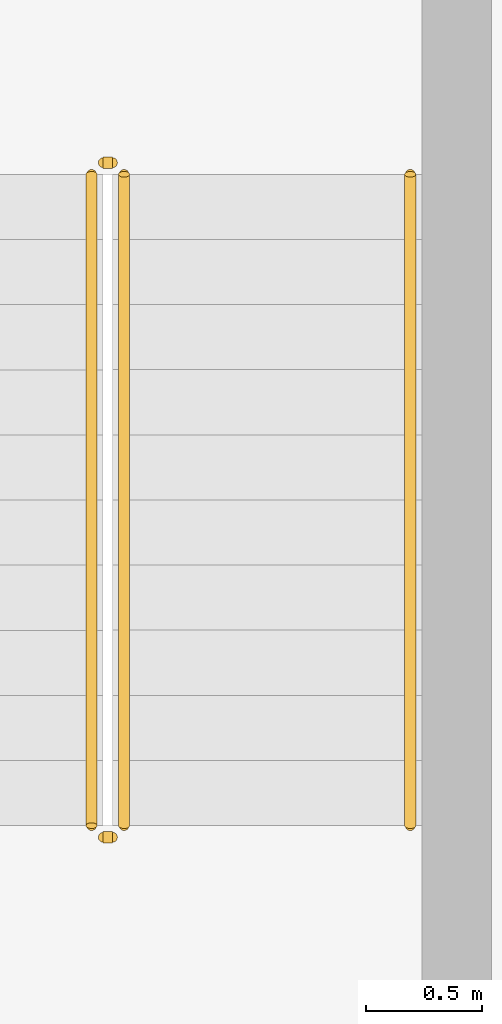
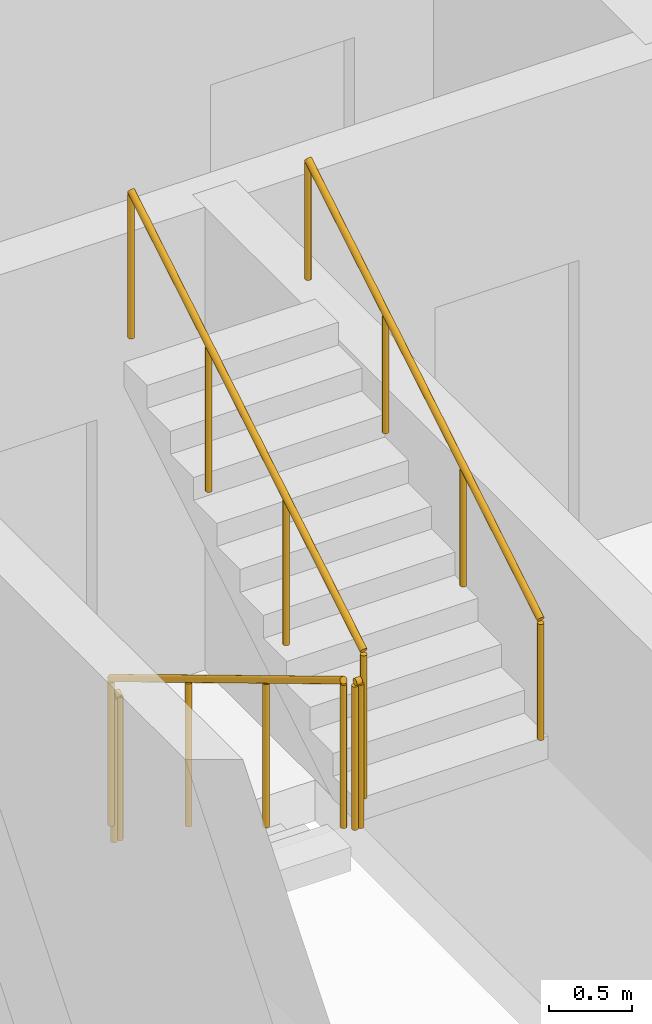
# One storey, part 28 of 31: 5 railings.
"""IFC4 building model written with IfcOpenShell, lengths in metres."""

from ifc_helpers import new_model, si_unit, direction, frame, origin, origin_2d, place, context, subcontext, project, spatial, circle, extrude, material, type_object, element, save


model = new_model("IFC4")

# Units and contexts
model_context = context("Model", 3, precision=1e-05, world=origin(), true_north=direction((0.0, 1.0)))
body_context = subcontext(model_context, "Body", "Model", "MODEL_VIEW")
ifc_project = project(units=[si_unit("LENGTHUNIT", "METRE"), si_unit("AREAUNIT", "SQUARE_METRE"), si_unit("VOLUMEUNIT", "CUBIC_METRE"), si_unit("PLANEANGLEUNIT", "RADIAN"), si_unit("MASSUNIT", "GRAM", prefix="KILO")], contexts=[model_context])

# Site, building, storey
site_placement = place(None, origin())
site = spatial("IfcSite", under=ifc_project, at=site_placement, CompositionType="ELEMENT")
building_placement = place(site_placement, origin())
building = spatial("IfcBuilding", under=site, at=building_placement, Name="Ogive Portal Towers", CompositionType="ELEMENT")
storey_placement = place(building_placement, frame((0.0, 0.0, 74.199951171875)))
storey = spatial("IfcBuildingStorey", under=building, at=storey_placement, Name="L17", CompositionType="ELEMENT", Elevation=74.199951171875)

# Railings
ifc_material_1 = material(Name="Stainless steel balustrade", Category="steel")
railing_type_1 = type_object("IfcRailingType", Name="INT-GUARD", PredefinedType="GUARDRAIL", material=ifc_material_1)
railing_1_placement = place(storey_placement, frame((88.280029296875, 29.169921875, 0.168212890625)))
element("IfcRailing", 1, at=railing_1_placement, inside=storey, type_object=railing_type_1, Name="L17 ST-A4 stair guard 1", PredefinedType="GUARDRAIL", context=body_context, shape_type="SweptSolid", body=[
    extrude(circle(Radius=0.02392578125, at=origin_2d()), frame((0.0, 0.0, 1.076171875), z_axis=(0.0, -0.857222391501, 0.514946377315), x_axis=(1.0, 0.0, 0.0)), (0.0, 0.0, 1.0), 3.26611328125),
    extrude(circle(Radius=0.02099609375, at=origin_2d()), origin(), (0.0, 0.0, 1.0), 1.052001953125),
    extrude(circle(Radius=0.02099609375, at=origin_2d()), frame((0.0, -0.933349609375, 0.560546875)), (0.0, 0.0, 1.0), 1.052001953125),
    extrude(circle(Radius=0.02099609375, at=origin_2d()), frame((0.0, -1.866455078125, 1.121337890625)), (0.0, 0.0, 1.0), 1.052001953125),
    extrude(circle(Radius=0.02099609375, at=origin_2d()), frame((0.0, -2.7998046875, 1.681884765625)), (0.0, 0.0, 1.0), 1.052001953125),
])
railing_2_placement = place(storey_placement, frame((88.330078125, 26.320068359375, 1.85009765625)))
element("IfcRailing", 2, at=railing_2_placement, inside=storey, type_object=railing_type_1, Name="L17 ST-A4 stair guard 2", PredefinedType="GUARDRAIL", context=body_context, shape_type="SweptSolid", body=[
    extrude(circle(Radius=0.02392578125, at=origin_2d()), frame((0.0, 0.0, 1.076171875), z_axis=(1.0, 0.0, 0.0), x_axis=(0.0, 1.0, 0.0)), (0.0, 0.0, 1.0), 0.0400390625),
    extrude(circle(Radius=0.02099609375, at=origin_2d()), origin(), (0.0, 0.0, 1.0), 1.052001953125),
    extrude(circle(Radius=0.02099609375, at=origin_2d()), frame((0.0400390625, 0.0, 0.0)), (0.0, 0.0, 1.0), 1.052001953125),
])
railing_3_placement = place(storey_placement, frame((88.419921875, 26.3701171875, 2.018310546875)))
element("IfcRailing", 3, at=railing_3_placement, inside=storey, type_object=railing_type_1, Name="L17 ST-A4 stair guard 3", PredefinedType="GUARDRAIL", context=body_context, shape_type="SweptSolid", body=[
    extrude(circle(Radius=0.02392578125, at=origin_2d()), frame((0.0, 0.0, 1.076171875), z_axis=(0.0, 0.857255387014, 0.514891446264), x_axis=(-1.0, 0.0, 0.0)), (0.0, 0.0, 1.0), 3.26611328125),
    extrude(circle(Radius=0.02099609375, at=origin_2d()), origin(), (0.0, 0.0, 1.0), 1.052001953125),
    extrude(circle(Radius=0.02099609375, at=origin_2d()), frame((0.0, 0.933349609375, 0.560546875)), (0.0, 0.0, 1.0), 1.052001953125),
    extrude(circle(Radius=0.02099609375, at=origin_2d()), frame((0.0, 1.866455078125, 1.12109375)), (0.0, 0.0, 1.0), 1.052001953125),
    extrude(circle(Radius=0.02099609375, at=origin_2d()), frame((0.0, 2.7998046875, 1.681640625)), (0.0, 0.0, 1.0), 1.052001953125),
])
railing_4_placement = place(storey_placement, frame((88.330078125, 29.219970703125, 0.0)))
element("IfcRailing", 4, at=railing_4_placement, inside=storey, type_object=railing_type_1, Name="L17 ST-A4 stair guard 4", PredefinedType="GUARDRAIL", context=body_context, shape_type="SweptSolid", body=[
    extrude(circle(Radius=0.02392578125, at=origin_2d()), frame((0.0, 0.0, 1.076171875), z_axis=(1.0, 0.0, 0.0), x_axis=(0.0, 1.0, 0.0)), (0.0, 0.0, 1.0), 0.0400390625),
    extrude(circle(Radius=0.02099609375, at=origin_2d()), origin(), (0.0, 0.0, 1.0), 1.052001953125),
    extrude(circle(Radius=0.02099609375, at=origin_2d()), frame((0.0400390625, 0.0, 0.0)), (0.0, 0.0, 1.0), 1.052001953125),
])
ifc_material_2 = material(Name="Stainless steel handrail", Category="steel")
railing_type_2 = type_object("IfcRailingType", Name="INT-HANDRAIL", PredefinedType="HANDRAIL", material=ifc_material_2)
railing_5_placement = place(storey_placement, frame((89.64990234375, 26.3701171875, 2.018310546875)))
element("IfcRailing", 5, at=railing_5_placement, inside=storey, type_object=railing_type_2, Name="L17 ST-A4 stair handrail 2", PredefinedType="HANDRAIL", context=body_context, shape_type="SweptSolid", body=[
    extrude(circle(Radius=0.02392578125, at=origin_2d()), frame((0.0, 0.0, 0.8759765625), z_axis=(0.0, 0.857255387014, 0.514891446264), x_axis=(-1.0, 0.0, 0.0)), (0.0, 0.0, 1.0), 3.26611328125),
    extrude(circle(Radius=0.02099609375, at=origin_2d()), origin(), (0.0, 0.0, 1.0), 0.851806640625),
    extrude(circle(Radius=0.02099609375, at=origin_2d()), frame((0.0, 0.933349609375, 0.560546875)), (0.0, 0.0, 1.0), 0.851806640625),
    extrude(circle(Radius=0.02099609375, at=origin_2d()), frame((0.0, 1.866455078125, 1.12109375)), (0.0, 0.0, 1.0), 0.851806640625),
    extrude(circle(Radius=0.02099609375, at=origin_2d()), frame((0.0, 2.7998046875, 1.681640625)), (0.0, 0.0, 1.0), 0.851806640625),
])

save(model, "model.ifc")
